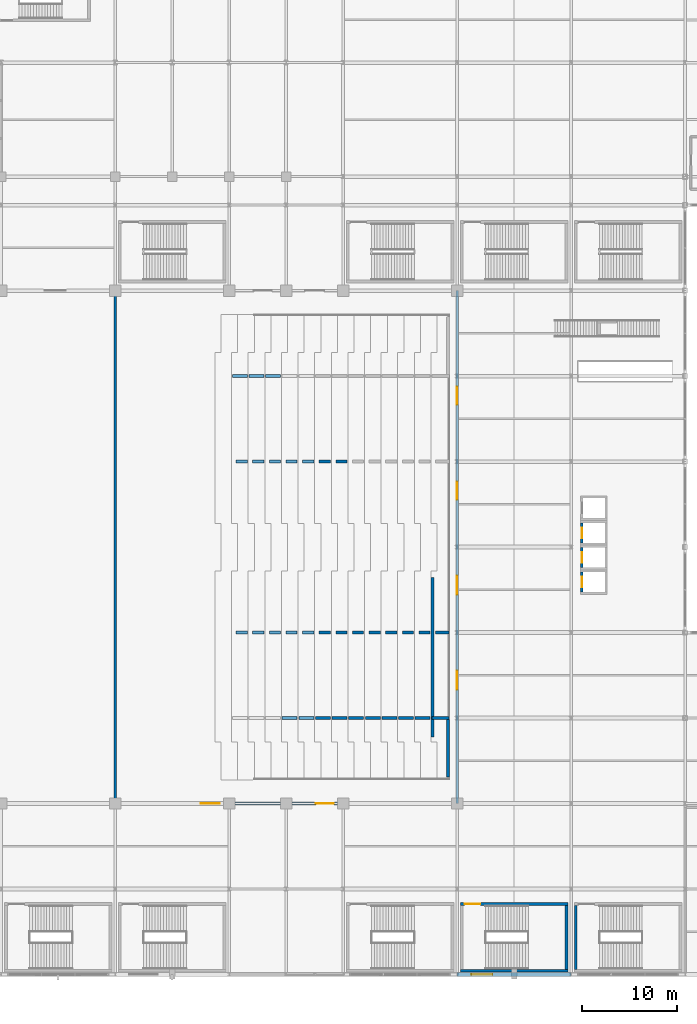
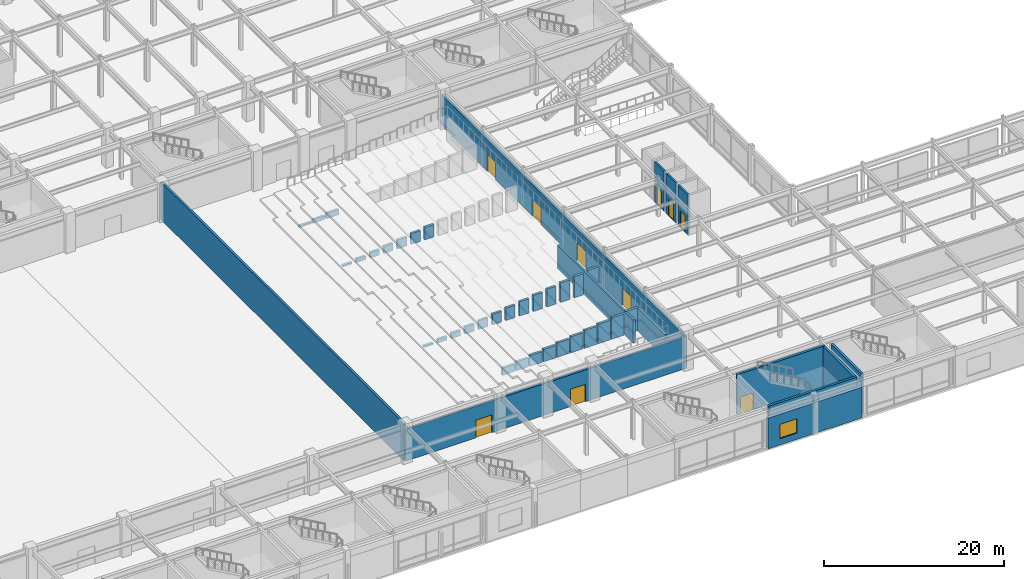
# One storey, part 81 of 100: 46 walls, 10 doors, 1 window, 11 openings.
"""IFC4 building model written with IfcOpenShell, lengths in metres."""

from ifc_helpers import new_model, si_unit, direction, frame, frame_2d, origin, place, context, subcontext, project, spatial, rectangle, extrude, material, layer, layer_set, type_object, element, fill, save


model = new_model("IFC4")

# Units and contexts
model_context = context("Model", 3, precision=1e-05, world=origin(), true_north=direction((0.0, 1.0)))
body_context = subcontext(model_context, "Body", "Model", "MODEL_VIEW")
ifc_project = project(units=[si_unit("LENGTHUNIT", "METRE"), si_unit("AREAUNIT", "SQUARE_METRE"), si_unit("VOLUMEUNIT", "CUBIC_METRE"), si_unit("PLANEANGLEUNIT", "RADIAN"), si_unit("MASSUNIT", "GRAM", prefix="KILO")], contexts=[model_context])

# Site, building, storey
site_placement = place(None, origin())
site = spatial("IfcSite", under=ifc_project, at=site_placement, CompositionType="ELEMENT")
building_placement = place(site_placement, origin())
building = spatial("IfcBuilding", under=site, at=building_placement, Name="Kaldorvane Square Convention Centre", CompositionType="ELEMENT")
storey_placement = place(building_placement, frame((0.0, 0.0, 18.0)))
storey = spatial("IfcBuildingStorey", under=building, at=storey_placement, Name="L03", CompositionType="ELEMENT", Elevation=18.0)

# Wall
ifc_material_1 = material(Name="Reinforced Concrete Masonry Acoustic Partition", Category="masonry")
ifc_layer_1 = layer(ifc_material_1, 0.279998779296875)
ifc_layer_set_1 = layer_set([ifc_layer_1], Name="Reinforced Concrete Masonry Acoustic Partition")
wall_type_1 = type_object("IfcWallType", Name="WL-ACO-280", PredefinedType="PARTITIONING", material=ifc_layer_set_1)
wall_1_placement = place(storey_placement, frame((78.0, 18.0, 0.0), z_axis=(0.0, 0.0, 1.0), x_axis=(0.0, 1.0, 0.0)))
element("IfcWall", 1, at=wall_1_placement, inside=storey, type_object=wall_type_1, Name="Ballroom E Wall", PredefinedType="PARTITIONING", context=body_context, shape_type="SweptSolid", body=[
    extrude(rectangle(XDim=54.0, YDim=0.279998779296875, at=frame_2d((27.0, 0.0))), origin(), (0.0, 0.0, 1.0), 5.0800018310546875),
])

# Wall, openings, doors
wall_2_placement = place(storey_placement, frame((78.0, 18.0, 0.0), z_axis=(0.0, 0.0, 1.0), x_axis=(1.0, 0.0, 0.0)))
wall_2 = element("IfcWall", 2, at=wall_2_placement, inside=storey, type_object=wall_type_1, Name="Plenary Hall S Wall", PredefinedType="PARTITIONING", context=body_context, shape_type="SweptSolid", body=[
    extrude(rectangle(XDim=36.0, YDim=0.279998779296875, at=frame_2d((18.0, 0.0))), origin(), (0.0, 0.0, 1.0), 4.302001953125),
])
opening_1_placement = place(wall_2_placement, frame((9.029998779296875, 0.0, 0.0)))
opening_1 = element("IfcOpeningElement", 3, at=opening_1_placement, cuts=wall_2, Name="Opening ID-04", PredefinedType="OPENING", context=body_context, shape_type="SweptSolid", body=[
    extrude(rectangle(XDim=2.0, YDim=2.399993896484375, at=frame_2d((1.0, 1.1999969482421875))), frame((0.0, 0.154998779296875, 0.0), z_axis=(0.0, -1.0, 0.0), x_axis=(1.0, 0.0, 0.0)), (0.0, 0.0, 1.0), 0.30999755859375),
])
opening_2_placement = place(wall_2_placement, frame((21.1300048828125, 0.0, 0.0)))
opening_2 = element("IfcOpeningElement", 4, at=opening_2_placement, cuts=wall_2, Name="Opening ID-05", PredefinedType="OPENING", context=body_context, shape_type="SweptSolid", body=[
    extrude(rectangle(XDim=1.899993896484375, YDim=2.350006103515625, at=frame_2d((0.9499969482421875, 1.1750030517578125))), frame((0.0, 0.154998779296875, 0.0), z_axis=(0.0, -1.0, 0.0), x_axis=(1.0, 0.0, 0.0)), (0.0, 0.0, 1.0), 0.30999755859375),
])
ifc_material_2 = material(Name="Architectural Solid-Core White Oak")
door_type_1 = type_object("IfcDoorType", Name="DR-PLEN-1900X2350", OperationType="DOUBLE_DOOR_SINGLE_SWING", PredefinedType="DOOR", material=ifc_material_2)
door_1_placement = place(opening_2_placement, origin())
door_1 = element("IfcDoor", 5, at=door_1_placement, inside=storey, type_object=door_type_1, Name="Plenary Hall Door 6", OperationType="DOUBLE_DOOR_SINGLE_SWING", OverallHeight=2.350006103515625, OverallWidth=1.899993896484375, PredefinedType="DOOR", context=body_context, shape_type="SweptSolid", body=[
    extrude(rectangle(XDim=1.899993896484375, YDim=2.350006103515625, at=frame_2d((0.9499969482421875, 1.1750030517578125))), frame((0.0, 0.024993896484375, 0.0), z_axis=(0.0, -1.0, 0.0), x_axis=(1.0, 0.0, 0.0)), (0.0, 0.0, 1.0), 0.0500030517578125),
])
fill(opening_2, door_1)
door_type_2 = type_object("IfcDoorType", Name="DR-PLEN-2000X2400", OperationType="DOUBLE_DOOR_SINGLE_SWING", PredefinedType="DOOR", material=ifc_material_2)
door_2_placement = place(opening_1_placement, origin())
door_2 = element("IfcDoor", 6, at=door_2_placement, inside=storey, type_object=door_type_2, Name="Plenary Hall Door 5", OperationType="DOUBLE_DOOR_SINGLE_SWING", OverallHeight=2.399993896484375, OverallWidth=2.0, PredefinedType="DOOR", context=body_context, shape_type="SweptSolid", body=[
    extrude(rectangle(XDim=2.0, YDim=2.399993896484375, at=frame_2d((1.0, 1.1999969482421875))), frame((0.0, 0.024993896484375, 0.0), z_axis=(0.0, -1.0, 0.0), x_axis=(1.0, 0.0, 0.0)), (0.0, 0.0, 1.0), 0.0500030517578125),
])
fill(opening_1, door_2)

wall_3_placement = place(storey_placement, frame((114.0, 18.0, 0.0), z_axis=(0.0, 0.0, 1.0), x_axis=(0.0, 1.0, 0.0)))
wall_3 = element("IfcWall", 7, at=wall_3_placement, inside=storey, type_object=wall_type_1, Name="Plenary Hall E Wall", PredefinedType="PARTITIONING", context=body_context, shape_type="SweptSolid", body=[
    extrude(rectangle(XDim=54.0, YDim=0.279998779296875, at=frame_2d((27.0, 0.0))), origin(), (0.0, 0.0, 1.0), 4.3130035400390625),
])
opening_3_placement = place(wall_3_placement, frame((12.0, 0.0, 0.0)))
opening_3 = element("IfcOpeningElement", 8, at=opening_3_placement, cuts=wall_3, Name="Opening ID-04", PredefinedType="OPENING", context=body_context, shape_type="SweptSolid", body=[
    extrude(rectangle(XDim=2.0, YDim=2.399993896484375, at=frame_2d((1.0, 1.1999969482421875))), frame((0.0, 0.154998779296875, 0.0), z_axis=(0.0, -1.0, 0.0), x_axis=(1.0, 0.0, 0.0)), (0.0, 0.0, 1.0), 0.30999755859375),
])
opening_4_placement = place(wall_3_placement, frame((22.0, 0.0, 0.0)))
opening_4 = element("IfcOpeningElement", 9, at=opening_4_placement, cuts=wall_3, Name="Opening ID-04", PredefinedType="OPENING", context=body_context, shape_type="SweptSolid", body=[
    extrude(rectangle(XDim=2.0, YDim=2.399993896484375, at=frame_2d((1.0, 1.1999969482421875))), frame((0.0, 0.154998779296875, 0.0), z_axis=(0.0, -1.0, 0.0), x_axis=(1.0, 0.0, 0.0)), (0.0, 0.0, 1.0), 0.30999755859375),
])
opening_5_placement = place(wall_3_placement, frame((32.0, 0.0, 0.0)))
opening_5 = element("IfcOpeningElement", 10, at=opening_5_placement, cuts=wall_3, Name="Opening ID-05", PredefinedType="OPENING", context=body_context, shape_type="SweptSolid", body=[
    extrude(rectangle(XDim=1.899993896484375, YDim=2.350006103515625, at=frame_2d((0.9499969482421875, 1.1750030517578125))), frame((0.0, 0.154998779296875, 0.0), z_axis=(0.0, -1.0, 0.0), x_axis=(1.0, 0.0, 0.0)), (0.0, 0.0, 1.0), 0.30999755859375),
])
opening_6_placement = place(wall_3_placement, frame((42.0, 0.0, 0.0)))
opening_6 = element("IfcOpeningElement", 11, at=opening_6_placement, cuts=wall_3, Name="Opening ID-05", PredefinedType="OPENING", context=body_context, shape_type="SweptSolid", body=[
    extrude(rectangle(XDim=1.899993896484375, YDim=2.350006103515625, at=frame_2d((0.9499969482421875, 1.1750030517578125))), frame((0.0, 0.154998779296875, 0.0), z_axis=(0.0, -1.0, 0.0), x_axis=(1.0, 0.0, 0.0)), (0.0, 0.0, 1.0), 0.30999755859375),
])
door_3_placement = place(opening_5_placement, origin())
door_3 = element("IfcDoor", 12, at=door_3_placement, inside=storey, type_object=door_type_1, Name="Plenary Hall Door 3", OperationType="DOUBLE_DOOR_SINGLE_SWING", OverallHeight=2.350006103515625, OverallWidth=1.899993896484375, PredefinedType="DOOR", context=body_context, shape_type="SweptSolid", body=[
    extrude(rectangle(XDim=1.899993896484375, YDim=2.350006103515625, at=frame_2d((0.9499969482421875, 1.1750030517578125))), frame((0.0, 0.024993896484375, 0.0), z_axis=(0.0, -1.0, 0.0), x_axis=(1.0, 0.0, 0.0)), (0.0, 0.0, 1.0), 0.0500030517578125),
])
fill(opening_5, door_3)
door_4_placement = place(opening_6_placement, origin())
door_4 = element("IfcDoor", 13, at=door_4_placement, inside=storey, type_object=door_type_1, Name="Plenary Hall Door 4", OperationType="DOUBLE_DOOR_SINGLE_SWING", OverallHeight=2.350006103515625, OverallWidth=1.899993896484375, PredefinedType="DOOR", context=body_context, shape_type="SweptSolid", body=[
    extrude(rectangle(XDim=1.899993896484375, YDim=2.350006103515625, at=frame_2d((0.9499969482421875, 1.1750030517578125))), frame((0.0, 0.024993896484375, 0.0), z_axis=(0.0, -1.0, 0.0), x_axis=(1.0, 0.0, 0.0)), (0.0, 0.0, 1.0), 0.0500030517578125),
])
fill(opening_6, door_4)
door_5_placement = place(opening_3_placement, origin())
door_5 = element("IfcDoor", 14, at=door_5_placement, inside=storey, type_object=door_type_2, Name="Plenary Hall Door 1", OperationType="DOUBLE_DOOR_SINGLE_SWING", OverallHeight=2.399993896484375, OverallWidth=2.0, PredefinedType="DOOR", context=body_context, shape_type="SweptSolid", body=[
    extrude(rectangle(XDim=2.0, YDim=2.399993896484375, at=frame_2d((1.0, 1.1999969482421875))), frame((0.0, 0.024993896484375, 0.0), z_axis=(0.0, -1.0, 0.0), x_axis=(1.0, 0.0, 0.0)), (0.0, 0.0, 1.0), 0.0500030517578125),
])
fill(opening_3, door_5)
door_6_placement = place(opening_4_placement, origin())
door_6 = element("IfcDoor", 15, at=door_6_placement, inside=storey, type_object=door_type_2, Name="Plenary Hall Door 2", OperationType="DOUBLE_DOOR_SINGLE_SWING", OverallHeight=2.399993896484375, OverallWidth=2.0, PredefinedType="DOOR", context=body_context, shape_type="SweptSolid", body=[
    extrude(rectangle(XDim=2.0, YDim=2.399993896484375, at=frame_2d((1.0, 1.1999969482421875))), frame((0.0, 0.024993896484375, 0.0), z_axis=(0.0, -1.0, 0.0), x_axis=(1.0, 0.0, 0.0)), (0.0, 0.0, 1.0), 0.0500030517578125),
])
fill(opening_4, door_6)

# Wall, opening, window
ifc_material_3 = material(Name="Concrete f'c = 42 MPa (Normalweight)", Category="concrete")
ifc_layer_2 = layer(ifc_material_3, 0.3800048828125)
ifc_layer_set_2 = layer_set([ifc_layer_2], Name="Concrete f'c = 42 MPa (Normalweight)")
wall_type_2 = type_object("IfcWallType", Name="WL-EXT-380", PredefinedType="STANDARD", material=ifc_layer_set_2)
wall_4_placement = place(storey_placement, frame((114.0, 0.0, 0.0), z_axis=(0.0, 0.0, 1.0), x_axis=(1.0, 0.0, 0.0)))
wall_4 = element("IfcWall", 16, at=wall_4_placement, inside=storey, type_object=wall_type_2, Name="South Square Brutalist Facade Wall (L03)", PredefinedType="STANDARD", context=body_context, shape_type="SweptSolid", body=[
    extrude(rectangle(XDim=12.0, YDim=0.3800048828125, at=frame_2d((6.0, 0.0))), origin(), (0.0, 0.0, 1.0), 4.175994873046875),
])
opening_7_placement = place(wall_4_placement, frame((1.5, 0.0, 0.850006103515625)))
opening_7 = element("IfcOpeningElement", 17, at=opening_7_placement, cuts=wall_4, Name="Opening W-20", PredefinedType="OPENING", context=body_context, shape_type="SweptSolid", body=[
    extrude(rectangle(XDim=2.1999969482421875, YDim=1.9499969482421875, at=frame_2d((1.100006103515625, 0.975006103515625))), frame((0.0, 0.2050018310546875, 0.0), z_axis=(0.0, -1.0, 0.0), x_axis=(1.0, 0.0, 0.0)), (0.0, 0.0, 1.0), 0.410003662109375),
])
ifc_material_4 = material(Name="Anodized Aluminum and Low-E Insulated Glazing", Category="aluminium")
window_type = type_object("IfcWindowType", Name="WN-POD-2200X1950", PartitioningType="DOUBLE_PANEL_VERTICAL", PredefinedType="WINDOW", material=ifc_material_4)
window_placement = place(opening_7_placement, origin())
window = element("IfcWindow", 18, at=window_placement, inside=storey, type_object=window_type, Name="South Facade Window (L03)", OverallHeight=1.9499969482421875, OverallWidth=2.1999969482421875, PartitioningType="DOUBLE_PANEL_VERTICAL", PredefinedType="WINDOW", context=body_context, shape_type="SweptSolid", body=[
    extrude(rectangle(XDim=2.1999969482421875, YDim=1.9499969482421875, at=frame_2d((1.100006103515625, 0.975006103515625))), frame((0.0, 0.029998779296875, 0.0), z_axis=(0.0, -1.0, 0.0), x_axis=(1.0, 0.0, 0.0)), (0.0, 0.0, 1.0), 0.05999755859375),
])
fill(opening_7, window)

# Walls
ifc_material_5 = material(Name="Concrete f'c = 55 MPa (Normalweight)", Category="concrete")
ifc_layer_3 = layer(ifc_material_5, 0.3000030517578125)
ifc_layer_set_3 = layer_set([ifc_layer_3], Name="Concrete f'c = 55 MPa (Normalweight)")
wall_type_3 = type_object("IfcWallType", Name="WL-SHAFT-300", PredefinedType="SHEAR", material=ifc_layer_set_3)
for number, where, z_axis, x_axis, name in (
    (19, (90.72999572753906, 36.0, 0.0), (0.0, 0.0, 1.0), (1.0, 0.0, 0.0), "Plenary Tier 02 Stringer Wall 2"),
    (20, (90.72999572753906, 54.0, 0.0), (0.0, 0.0, 1.0), (1.0, 0.0, 0.0), "Plenary Tier 02 Stringer Wall 3"),
):
    element("IfcWall", number, at=place(storey_placement, frame(where, z_axis=z_axis, x_axis=x_axis)), inside=storey, type_object=wall_type_3, Name=name, PredefinedType="SHEAR", context=body_context, shape_type="SweptSolid", body=[
        extrude(rectangle(XDim=1.19000244140625, YDim=0.3000030517578125, at=frame_2d((0.595001220703125, 0.0))), origin(), (0.0, 0.0, 1.0), 0.2400054931640625),
    ])
wall_5_placement = place(storey_placement, frame((90.33000183105469, 63.0, 0.0), z_axis=(0.0, 0.0, 1.0), x_axis=(1.0, 0.0, 0.0)))
element("IfcWall", 21, at=wall_5_placement, inside=storey, type_object=wall_type_3, Name="Plenary Tier 02 Stringer Wall 4", PredefinedType="SHEAR", context=body_context, shape_type="SweptSolid", body=[
    extrude(rectangle(XDim=1.589996337890625, YDim=0.3000030517578125, at=frame_2d((0.7949981689453125, 0.0))), origin(), (0.0, 0.0, 1.0), 0.2400054931640625),
])
for number, where, z_axis, x_axis, name in (
    (22, (92.47999572753906, 36.0, 0.0), (0.0, 0.0, 1.0), (1.0, 0.0, 0.0), "Plenary Tier 03 Stringer Wall 2"),
    (23, (92.47999572753906, 54.0, 0.0), (0.0, 0.0, 1.0), (1.0, 0.0, 0.0), "Plenary Tier 03 Stringer Wall 3"),
):
    element("IfcWall", number, at=place(storey_placement, frame(where, z_axis=z_axis, x_axis=x_axis)), inside=storey, type_object=wall_type_3, Name=name, PredefinedType="SHEAR", context=body_context, shape_type="SweptSolid", body=[
        extrude(rectangle(XDim=1.19000244140625, YDim=0.3000030517578125, at=frame_2d((0.595001220703125, 0.0))), origin(), (0.0, 0.0, 1.0), 0.4799957275390625),
    ])
wall_6_placement = place(storey_placement, frame((92.08000183105469, 63.0, 0.0), z_axis=(0.0, 0.0, 1.0), x_axis=(1.0, 0.0, 0.0)))
element("IfcWall", 24, at=wall_6_placement, inside=storey, type_object=wall_type_3, Name="Plenary Tier 03 Stringer Wall 4", PredefinedType="SHEAR", context=body_context, shape_type="SweptSolid", body=[
    extrude(rectangle(XDim=1.589996337890625, YDim=0.3000030517578125, at=frame_2d((0.7949981689453125, 0.0))), origin(), (0.0, 0.0, 1.0), 0.4799957275390625),
])
for number, where, z_axis, x_axis, name in (
    (25, (94.22999572753906, 36.0, 0.0), (0.0, 0.0, 1.0), (1.0, 0.0, 0.0), "Plenary Tier 04 Stringer Wall 2"),
    (26, (94.22999572753906, 54.0, 0.0), (0.0, 0.0, 1.0), (1.0, 0.0, 0.0), "Plenary Tier 04 Stringer Wall 3"),
):
    element("IfcWall", number, at=place(storey_placement, frame(where, z_axis=z_axis, x_axis=x_axis)), inside=storey, type_object=wall_type_3, Name=name, PredefinedType="SHEAR", context=body_context, shape_type="SweptSolid", body=[
        extrude(rectangle(XDim=1.19000244140625, YDim=0.3000030517578125, at=frame_2d((0.595001220703125, 0.0))), origin(), (0.0, 0.0, 1.0), 0.720001220703125),
    ])
wall_7_placement = place(storey_placement, frame((93.83000183105469, 63.0, 0.0), z_axis=(0.0, 0.0, 1.0), x_axis=(1.0, 0.0, 0.0)))
element("IfcWall", 27, at=wall_7_placement, inside=storey, type_object=wall_type_3, Name="Plenary Tier 04 Stringer Wall 4", PredefinedType="SHEAR", context=body_context, shape_type="SweptSolid", body=[
    extrude(rectangle(XDim=1.589996337890625, YDim=0.3000030517578125, at=frame_2d((0.7949981689453125, 0.0))), origin(), (0.0, 0.0, 1.0), 0.720001220703125),
])
wall_8_placement = place(storey_placement, frame((95.58000183105469, 27.0, 0.0), z_axis=(0.0, 0.0, 1.0), x_axis=(1.0, 0.0, 0.0)))
element("IfcWall", 28, at=wall_8_placement, inside=storey, type_object=wall_type_3, Name="Plenary Tier 05 Stringer Wall 1", PredefinedType="SHEAR", context=body_context, shape_type="SweptSolid", body=[
    extrude(rectangle(XDim=1.589996337890625, YDim=0.3000030517578125, at=frame_2d((0.7949981689453125, 0.0))), origin(), (0.0, 0.0, 1.0), 0.9600067138671875),
])
for number, where, z_axis, x_axis, name in (
    (29, (95.97999572753906, 36.0, 0.0), (0.0, 0.0, 1.0), (1.0, 0.0, 0.0), "Plenary Tier 05 Stringer Wall 2"),
    (30, (95.97999572753906, 54.0, 0.0), (0.0, 0.0, 1.0), (1.0, 0.0, 0.0), "Plenary Tier 05 Stringer Wall 3"),
):
    element("IfcWall", number, at=place(storey_placement, frame(where, z_axis=z_axis, x_axis=x_axis)), inside=storey, type_object=wall_type_3, Name=name, PredefinedType="SHEAR", context=body_context, shape_type="SweptSolid", body=[
        extrude(rectangle(XDim=1.19000244140625, YDim=0.3000030517578125, at=frame_2d((0.595001220703125, 0.0))), origin(), (0.0, 0.0, 1.0), 0.9600067138671875),
    ])
wall_9_placement = place(storey_placement, frame((97.33000183105469, 27.0, 0.0), z_axis=(0.0, 0.0, 1.0), x_axis=(1.0, 0.0, 0.0)))
element("IfcWall", 31, at=wall_9_placement, inside=storey, type_object=wall_type_3, Name="Plenary Tier 06 Stringer Wall 1", PredefinedType="SHEAR", context=body_context, shape_type="SweptSolid", body=[
    extrude(rectangle(XDim=1.589996337890625, YDim=0.3000030517578125, at=frame_2d((0.7949981689453125, 0.0))), origin(), (0.0, 0.0, 1.0), 1.1999969482421875),
])
for number, where, z_axis, x_axis, name in (
    (32, (97.72999572753906, 36.0, 0.0), (0.0, 0.0, 1.0), (1.0, 0.0, 0.0), "Plenary Tier 06 Stringer Wall 2"),
    (33, (97.72999572753906, 54.0, 0.0), (0.0, 0.0, 1.0), (1.0, 0.0, 0.0), "Plenary Tier 06 Stringer Wall 3"),
):
    element("IfcWall", number, at=place(storey_placement, frame(where, z_axis=z_axis, x_axis=x_axis)), inside=storey, type_object=wall_type_3, Name=name, PredefinedType="SHEAR", context=body_context, shape_type="SweptSolid", body=[
        extrude(rectangle(XDim=1.19000244140625, YDim=0.3000030517578125, at=frame_2d((0.595001220703125, 0.0))), origin(), (0.0, 0.0, 1.0), 1.1999969482421875),
    ])
wall_10_placement = place(storey_placement, frame((99.08000183105469, 27.0, 0.0), z_axis=(0.0, 0.0, 1.0), x_axis=(1.0, 0.0, 0.0)))
element("IfcWall", 34, at=wall_10_placement, inside=storey, type_object=wall_type_3, Name="Plenary Tier 07 Stringer Wall 1", PredefinedType="SHEAR", context=body_context, shape_type="SweptSolid", body=[
    extrude(rectangle(XDim=1.589996337890625, YDim=0.3000030517578125, at=frame_2d((0.7949981689453125, 0.0))), origin(), (0.0, 0.0, 1.0), 1.44000244140625),
])
for number, where, z_axis, x_axis, name in (
    (35, (99.47999572753906, 36.0, 0.0), (0.0, 0.0, 1.0), (1.0, 0.0, 0.0), "Plenary Tier 07 Stringer Wall 2"),
    (36, (99.47999572753906, 54.0, 0.0), (0.0, 0.0, 1.0), (1.0, 0.0, 0.0), "Plenary Tier 07 Stringer Wall 3"),
):
    element("IfcWall", number, at=place(storey_placement, frame(where, z_axis=z_axis, x_axis=x_axis)), inside=storey, type_object=wall_type_3, Name=name, PredefinedType="SHEAR", context=body_context, shape_type="SweptSolid", body=[
        extrude(rectangle(XDim=1.19000244140625, YDim=0.3000030517578125, at=frame_2d((0.595001220703125, 0.0))), origin(), (0.0, 0.0, 1.0), 1.44000244140625),
    ])
wall_11_placement = place(storey_placement, frame((100.83000183105469, 27.0, 0.0), z_axis=(0.0, 0.0, 1.0), x_axis=(1.0, 0.0, 0.0)))
element("IfcWall", 37, at=wall_11_placement, inside=storey, type_object=wall_type_3, Name="Plenary Tier 08 Stringer Wall 1", PredefinedType="SHEAR", context=body_context, shape_type="SweptSolid", body=[
    extrude(rectangle(XDim=1.589996337890625, YDim=0.3000030517578125, at=frame_2d((0.7949981689453125, 0.0))), origin(), (0.0, 0.0, 1.0), 1.67999267578125),
])
for number, where, z_axis, x_axis, name in (
    (38, (101.22999572753906, 36.0, 0.0), (0.0, 0.0, 1.0), (1.0, 0.0, 0.0), "Plenary Tier 08 Stringer Wall 2"),
    (39, (101.22999572753906, 54.0, 0.0), (0.0, 0.0, 1.0), (1.0, 0.0, 0.0), "Plenary Tier 08 Stringer Wall 3"),
):
    element("IfcWall", number, at=place(storey_placement, frame(where, z_axis=z_axis, x_axis=x_axis)), inside=storey, type_object=wall_type_3, Name=name, PredefinedType="SHEAR", context=body_context, shape_type="SweptSolid", body=[
        extrude(rectangle(XDim=1.19000244140625, YDim=0.3000030517578125, at=frame_2d((0.595001220703125, 0.0))), origin(), (0.0, 0.0, 1.0), 1.67999267578125),
    ])
wall_12_placement = place(storey_placement, frame((102.58000183105469, 27.0, 0.0), z_axis=(0.0, 0.0, 1.0), x_axis=(1.0, 0.0, 0.0)))
element("IfcWall", 40, at=wall_12_placement, inside=storey, type_object=wall_type_3, Name="Plenary Tier 09 Stringer Wall 1", PredefinedType="SHEAR", context=body_context, shape_type="SweptSolid", body=[
    extrude(rectangle(XDim=1.589996337890625, YDim=0.3000030517578125, at=frame_2d((0.7949981689453125, 0.0))), origin(), (0.0, 0.0, 1.0), 1.9199981689453125),
])
wall_13_placement = place(storey_placement, frame((102.97999572753906, 36.0, 0.0), z_axis=(0.0, 0.0, 1.0), x_axis=(1.0, 0.0, 0.0)))
element("IfcWall", 41, at=wall_13_placement, inside=storey, type_object=wall_type_3, Name="Plenary Tier 09 Stringer Wall 2", PredefinedType="SHEAR", context=body_context, shape_type="SweptSolid", body=[
    extrude(rectangle(XDim=1.19000244140625, YDim=0.3000030517578125, at=frame_2d((0.595001220703125, 0.0))), origin(), (0.0, 0.0, 1.0), 1.9199981689453125),
])
wall_14_placement = place(storey_placement, frame((104.33000183105469, 27.0, 0.0), z_axis=(0.0, 0.0, 1.0), x_axis=(1.0, 0.0, 0.0)))
element("IfcWall", 42, at=wall_14_placement, inside=storey, type_object=wall_type_3, Name="Plenary Tier 10 Stringer Wall 1", PredefinedType="SHEAR", context=body_context, shape_type="SweptSolid", body=[
    extrude(rectangle(XDim=1.589996337890625, YDim=0.3000030517578125, at=frame_2d((0.7949981689453125, 0.0))), origin(), (0.0, 0.0, 1.0), 2.160003662109375),
])
wall_15_placement = place(storey_placement, frame((104.72999572753906, 36.0, 0.0), z_axis=(0.0, 0.0, 1.0), x_axis=(1.0, 0.0, 0.0)))
element("IfcWall", 43, at=wall_15_placement, inside=storey, type_object=wall_type_3, Name="Plenary Tier 10 Stringer Wall 2", PredefinedType="SHEAR", context=body_context, shape_type="SweptSolid", body=[
    extrude(rectangle(XDim=1.19000244140625, YDim=0.3000030517578125, at=frame_2d((0.595001220703125, 0.0))), origin(), (0.0, 0.0, 1.0), 2.160003662109375),
])
wall_16_placement = place(storey_placement, frame((106.08000183105469, 27.0, 0.0), z_axis=(0.0, 0.0, 1.0), x_axis=(1.0, 0.0, 0.0)))
element("IfcWall", 44, at=wall_16_placement, inside=storey, type_object=wall_type_3, Name="Plenary Tier 11 Stringer Wall 1", PredefinedType="SHEAR", context=body_context, shape_type="SweptSolid", body=[
    extrude(rectangle(XDim=1.589996337890625, YDim=0.3000030517578125, at=frame_2d((0.7949981689453125, 0.0))), origin(), (0.0, 0.0, 1.0), 2.399993896484375),
])
wall_17_placement = place(storey_placement, frame((106.47999572753906, 36.0, 0.0), z_axis=(0.0, 0.0, 1.0), x_axis=(1.0, 0.0, 0.0)))
element("IfcWall", 45, at=wall_17_placement, inside=storey, type_object=wall_type_3, Name="Plenary Tier 11 Stringer Wall 2", PredefinedType="SHEAR", context=body_context, shape_type="SweptSolid", body=[
    extrude(rectangle(XDim=1.19000244140625, YDim=0.3000030517578125, at=frame_2d((0.595001220703125, 0.0))), origin(), (0.0, 0.0, 1.0), 2.399993896484375),
])
wall_18_placement = place(storey_placement, frame((107.83000183105469, 27.0, 0.0), z_axis=(0.0, 0.0, 1.0), x_axis=(1.0, 0.0, 0.0)))
element("IfcWall", 46, at=wall_18_placement, inside=storey, type_object=wall_type_3, Name="Plenary Tier 12 Stringer Wall 1", PredefinedType="SHEAR", context=body_context, shape_type="SweptSolid", body=[
    extrude(rectangle(XDim=1.589996337890625, YDim=0.3000030517578125, at=frame_2d((0.7949981689453125, 0.0))), origin(), (0.0, 0.0, 1.0), 2.6399993896484375),
])
wall_19_placement = place(storey_placement, frame((108.22999572753906, 36.0, 0.0), z_axis=(0.0, 0.0, 1.0), x_axis=(1.0, 0.0, 0.0)))
element("IfcWall", 47, at=wall_19_placement, inside=storey, type_object=wall_type_3, Name="Plenary Tier 12 Stringer Wall 2", PredefinedType="SHEAR", context=body_context, shape_type="SweptSolid", body=[
    extrude(rectangle(XDim=1.19000244140625, YDim=0.3000030517578125, at=frame_2d((0.595001220703125, 0.0))), origin(), (0.0, 0.0, 1.0), 2.6399993896484375),
])
wall_20_placement = place(storey_placement, frame((109.58000183105469, 27.0, 0.0), z_axis=(0.0, 0.0, 1.0), x_axis=(1.0, 0.0, 0.0)))
element("IfcWall", 48, at=wall_20_placement, inside=storey, type_object=wall_type_3, Name="Plenary Tier 13 Stringer Wall 1", PredefinedType="SHEAR", context=body_context, shape_type="SweptSolid", body=[
    extrude(rectangle(XDim=1.589996337890625, YDim=0.3000030517578125, at=frame_2d((0.7949981689453125, 0.0))), origin(), (0.0, 0.0, 1.0), 2.8800048828125),
])
wall_21_placement = place(storey_placement, frame((109.97999572753906, 36.0, 0.0), z_axis=(0.0, 0.0, 1.0), x_axis=(1.0, 0.0, 0.0)))
element("IfcWall", 49, at=wall_21_placement, inside=storey, type_object=wall_type_3, Name="Plenary Tier 13 Stringer Wall 2", PredefinedType="SHEAR", context=body_context, shape_type="SweptSolid", body=[
    extrude(rectangle(XDim=1.19000244140625, YDim=0.3000030517578125, at=frame_2d((0.595001220703125, 0.0))), origin(), (0.0, 0.0, 1.0), 2.8800048828125),
])
wall_22_placement = place(storey_placement, frame((111.33000183105469, 27.0, 0.0), z_axis=(0.0, 0.0, 1.0), x_axis=(1.0, 0.0, 0.0)))
element("IfcWall", 50, at=wall_22_placement, inside=storey, type_object=wall_type_3, Name="Plenary Tier 14 Stringer Wall 1", PredefinedType="SHEAR", context=body_context, shape_type="SweptSolid", body=[
    extrude(rectangle(XDim=1.7899932861328125, YDim=0.3000030517578125, at=frame_2d((0.894989013671875, 0.0))), origin(), (0.0, 0.0, 1.0), 3.1199951171875),
])
wall_23_placement = place(storey_placement, frame((111.72999572753906, 36.0, 0.0), z_axis=(0.0, 0.0, 1.0), x_axis=(1.0, 0.0, 0.0)))
element("IfcWall", 51, at=wall_23_placement, inside=storey, type_object=wall_type_3, Name="Plenary Tier 14 Stringer Wall 2", PredefinedType="SHEAR", context=body_context, shape_type="SweptSolid", body=[
    extrude(rectangle(XDim=1.3899993896484375, YDim=0.3000030517578125, at=frame_2d((0.69500732421875, 0.0))), origin(), (0.0, 0.0, 1.0), 3.1199951171875),
])
wall_24_placement = place(storey_placement, frame((111.41000366210938, 25.0, 0.0), z_axis=(0.0, 0.0, 1.0), x_axis=(0.0, 1.0, 0.0)))
element("IfcWall", 52, at=wall_24_placement, inside=storey, type_object=wall_type_3, Name="Plenary Tier 14 Support Wall 1", PredefinedType="SHEAR", context=body_context, shape_type="SweptSolid", body=[
    extrude(rectangle(XDim=16.800003051757812, YDim=0.3000030517578125, at=frame_2d((8.399993896484375, 0.0))), origin(), (0.0, 0.0, 1.0), 3.1199951171875),
])
wall_25_placement = place(storey_placement, frame((113.03999328613281, 20.800003051757812, 0.0), z_axis=(0.0, 0.0, 1.0), x_axis=(0.0, 1.0, 0.0)))
element("IfcWall", 53, at=wall_25_placement, inside=storey, type_object=wall_type_3, Name="Plenary Tier 14 Support Wall 2", PredefinedType="SHEAR", context=body_context, shape_type="SweptSolid", body=[
    extrude(rectangle(XDim=6.0500030517578125, YDim=0.3000030517578125, at=frame_2d((3.024993896484375, 0.0))), origin(), (0.0, 0.0, 1.0), 3.1199951171875),
])
wall_26_placement = place(storey_placement, frame((125.66000366210938, 0.399993896484375, 0.0), z_axis=(0.0, 0.0, 1.0), x_axis=(-1.0, 0.0, 0.0)))
element("IfcWall", 54, at=wall_26_placement, inside=storey, type_object=wall_type_3, Name="Core Enclosure Wall stair:ST-C9-S (L03)", PredefinedType="SHEAR", context=body_context, shape_type="SweptSolid", body=[
    extrude(rectangle(XDim=11.32000732421875, YDim=0.3000030517578125, at=frame_2d((5.660003662109375, 0.0))), origin(), (0.0, 0.0, 1.0), 5.399993896484375),
])

# Wall, opening, door
wall_27_placement = place(storey_placement, frame((125.66000366210938, 7.410003662109375, 0.0), z_axis=(0.0, 0.0, 1.0), x_axis=(-1.0, 0.0, 0.0)))
wall_27 = element("IfcWall", 55, at=wall_27_placement, inside=storey, type_object=wall_type_3, Name="Core Enclosure Wall stair:ST-C9-N (L03)", PredefinedType="SHEAR", context=body_context, shape_type="SweptSolid", body=[
    extrude(rectangle(XDim=11.32000732421875, YDim=0.3000030517578125, at=frame_2d((5.660003662109375, 0.0))), origin(), (0.0, 0.0, 1.0), 5.399993896484375),
])
opening_8_placement = place(wall_27_placement, frame((9.220001220703125, 0.0, 0.0)))
opening_8 = element("IfcOpeningElement", 56, at=opening_8_placement, cuts=wall_27, Name="Opening FD90-S2", PredefinedType="OPENING", context=body_context, shape_type="SweptSolid", body=[
    extrude(rectangle(XDim=1.649993896484375, YDim=2.25, at=frame_2d((0.8249969482421875, 1.125))), frame((0.0, 0.165008544921875, 0.0), z_axis=(0.0, -1.0, 0.0), x_axis=(1.0, 0.0, 0.0)), (0.0, 0.0, 1.0), 0.3300018310546875),
])
ifc_material_6 = material(Name="Fire-Rated Hollow Metal Steel", Category="steel")
door_type_3 = type_object("IfcDoorType", Name="DR-STAIR-1650", OperationType="DOUBLE_DOOR_SINGLE_SWING", PredefinedType="DOOR", material=ifc_material_6)
door_7_placement = place(opening_8_placement, origin())
door_7 = element("IfcDoor", 57, at=door_7_placement, inside=storey, type_object=door_type_3, Name="Convention Exit Stair C9 Fire Door (L03)", OperationType="DOUBLE_DOOR_SINGLE_SWING", OverallHeight=2.25, OverallWidth=1.649993896484375, PredefinedType="DOOR", context=body_context, shape_type="SweptSolid", body=[
    extrude(rectangle(XDim=1.649993896484375, YDim=2.25, at=frame_2d((0.8249969482421875, 1.125))), frame((0.0, 0.024993896484375, 0.0), z_axis=(0.0, -1.0, 0.0), x_axis=(1.0, 0.0, 0.0)), (0.0, 0.0, 1.0), 0.0500030517578125),
])
fill(opening_8, door_7)

# Walls
for number, where, z_axis, x_axis, name in (
    (58, (125.50999450683594, 0.5500030517578125, 0.0), (0.0, 0.0, 1.0), (0.0, 1.0, 0.0), "Core Enclosure Wall stair:ST-C9-E (L03)"),
    (59, (126.49000549316406, 7.2599945068359375, 0.0), (0.0, 0.0, 1.0), (0.0, -1.0, 0.0), "Core Enclosure Wall stair:ST-C10-W (L03)"),
):
    element("IfcWall", number, at=place(storey_placement, frame(where, z_axis=z_axis, x_axis=x_axis)), inside=storey, type_object=wall_type_3, Name=name, PredefinedType="SHEAR", context=body_context, shape_type="SweptSolid", body=[
        extrude(rectangle(XDim=6.709991455078125, YDim=0.3000030517578125, at=frame_2d((3.3549957275390625, 0.0))), origin(), (0.0, 0.0, 1.0), 5.399993896484375),
    ])

# Wall, opening, door
wall_28_placement = place(storey_placement, frame((127.125, 42.350006103515625, 0.0), z_axis=(0.0, 0.0, 1.0), x_axis=(0.0, -1.0, 0.0)))
wall_28 = element("IfcWall", 60, at=wall_28_placement, inside=storey, type_object=wall_type_3, Name="Core Enclosure Wall lift:EL-C1-W (L03)", PredefinedType="SHEAR", context=body_context, shape_type="SweptSolid", body=[
    extrude(rectangle(XDim=2.100006103515625, YDim=0.25, at=frame_2d((1.0500030517578125, 0.0))), origin(), (0.0, 0.0, 1.0), 5.399993896484375),
])
opening_9_placement = place(wall_28_placement, frame((0.5, 0.0, 0.0)))
opening_9 = element("IfcOpeningElement", 61, at=opening_9_placement, cuts=wall_28, Name="Opening LD-01", PredefinedType="OPENING", context=body_context, shape_type="SweptSolid", body=[
    extrude(rectangle(XDim=1.100006103515625, YDim=2.1999969482421875, at=frame_2d((0.5500030517578125, 1.100006103515625))), frame((0.0, 0.1399993896484375, 0.0), z_axis=(0.0, -1.0, 0.0), x_axis=(1.0, 0.0, 0.0)), (0.0, 0.0, 1.0), 0.279998779296875),
])
ifc_material_7 = material(Name="Stainless Steel Elevator Door Assembly", Category="steel")
door_type_4 = type_object("IfcDoorType", Name="DR-LIFT-1100", OperationType="DOUBLE_DOOR_SLIDING", PredefinedType="DOOR", material=ifc_material_7)
door_8_placement = place(opening_9_placement, origin())
door_8 = element("IfcDoor", 62, at=door_8_placement, inside=storey, type_object=door_type_4, Name="Elevator Landing Door EL-C1 (L03)", OperationType="DOUBLE_DOOR_SLIDING", OverallHeight=2.1999969482421875, OverallWidth=1.100006103515625, PredefinedType="DOOR", context=body_context, shape_type="SweptSolid", body=[
    extrude(rectangle(XDim=1.100006103515625, YDim=2.1999969482421875, at=frame_2d((0.5500030517578125, 1.100006103515625))), frame((0.0, 0.024993896484375, 0.0), z_axis=(0.0, -1.0, 0.0), x_axis=(1.0, 0.0, 0.0)), (0.0, 0.0, 1.0), 0.0500030517578125),
])
fill(opening_9, door_8)

wall_29_placement = place(storey_placement, frame((127.125, 44.94999694824219, 0.0), z_axis=(0.0, 0.0, 1.0), x_axis=(0.0, -1.0, 0.0)))
wall_29 = element("IfcWall", 63, at=wall_29_placement, inside=storey, type_object=wall_type_3, Name="Core Enclosure Wall lift:EL-C2-W (L03)", PredefinedType="SHEAR", context=body_context, shape_type="SweptSolid", body=[
    extrude(rectangle(XDim=2.0999908447265625, YDim=0.25, at=frame_2d((1.04998779296875, 0.0))), origin(), (0.0, 0.0, 1.0), 5.399993896484375),
])
opening_10_placement = place(wall_29_placement, frame((0.5, 0.0, 0.0)))
opening_10 = element("IfcOpeningElement", 64, at=opening_10_placement, cuts=wall_29, Name="Opening LD-01", PredefinedType="OPENING", context=body_context, shape_type="SweptSolid", body=[
    extrude(rectangle(XDim=1.100006103515625, YDim=2.1999969482421875, at=frame_2d((0.5500030517578125, 1.100006103515625))), frame((0.0, 0.1399993896484375, 0.0), z_axis=(0.0, -1.0, 0.0), x_axis=(1.0, 0.0, 0.0)), (0.0, 0.0, 1.0), 0.279998779296875),
])
door_9_placement = place(opening_10_placement, origin())
door_9 = element("IfcDoor", 65, at=door_9_placement, inside=storey, type_object=door_type_4, Name="Elevator Landing Door EL-C2 (L03)", OperationType="DOUBLE_DOOR_SLIDING", OverallHeight=2.1999969482421875, OverallWidth=1.100006103515625, PredefinedType="DOOR", context=body_context, shape_type="SweptSolid", body=[
    extrude(rectangle(XDim=1.100006103515625, YDim=2.1999969482421875, at=frame_2d((0.5500030517578125, 1.100006103515625))), frame((0.0, 0.024993896484375, 0.0), z_axis=(0.0, -1.0, 0.0), x_axis=(1.0, 0.0, 0.0)), (0.0, 0.0, 1.0), 0.0500030517578125),
])
fill(opening_10, door_9)

wall_30_placement = place(storey_placement, frame((127.125, 47.55000305175781, 0.0), z_axis=(0.0, 0.0, 1.0), x_axis=(0.0, -1.0, 0.0)))
wall_30 = element("IfcWall", 66, at=wall_30_placement, inside=storey, type_object=wall_type_3, Name="Core Enclosure Wall lift:EL-C3-W (L03)", PredefinedType="SHEAR", context=body_context, shape_type="SweptSolid", body=[
    extrude(rectangle(XDim=2.100006103515625, YDim=0.25, at=frame_2d((1.0500030517578125, 0.0))), origin(), (0.0, 0.0, 1.0), 5.399993896484375),
])
opening_11_placement = place(wall_30_placement, frame((0.5, 0.0, 0.0)))
opening_11 = element("IfcOpeningElement", 67, at=opening_11_placement, cuts=wall_30, Name="Opening LD-01", PredefinedType="OPENING", context=body_context, shape_type="SweptSolid", body=[
    extrude(rectangle(XDim=1.100006103515625, YDim=2.1999969482421875, at=frame_2d((0.5500030517578125, 1.100006103515625))), frame((0.0, 0.1399993896484375, 0.0), z_axis=(0.0, -1.0, 0.0), x_axis=(1.0, 0.0, 0.0)), (0.0, 0.0, 1.0), 0.279998779296875),
])
door_10_placement = place(opening_11_placement, origin())
door_10 = element("IfcDoor", 68, at=door_10_placement, inside=storey, type_object=door_type_4, Name="Elevator Landing Door EL-C3 (L03)", OperationType="DOUBLE_DOOR_SLIDING", OverallHeight=2.1999969482421875, OverallWidth=1.100006103515625, PredefinedType="DOOR", context=body_context, shape_type="SweptSolid", body=[
    extrude(rectangle(XDim=1.100006103515625, YDim=2.1999969482421875, at=frame_2d((0.5500030517578125, 1.100006103515625))), frame((0.0, 0.024993896484375, 0.0), z_axis=(0.0, -1.0, 0.0), x_axis=(1.0, 0.0, 0.0)), (0.0, 0.0, 1.0), 0.0500030517578125),
])
fill(opening_11, door_10)

save(model, "model.ifc")
